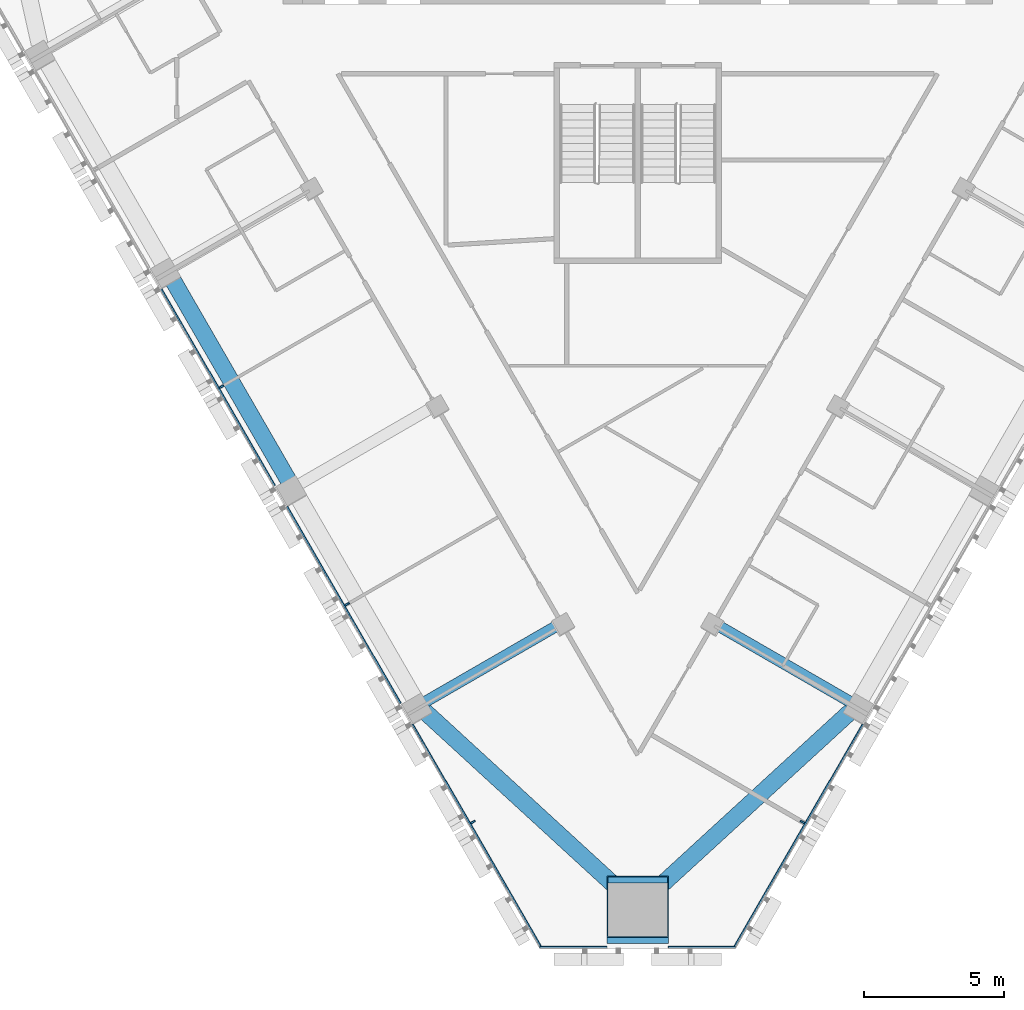
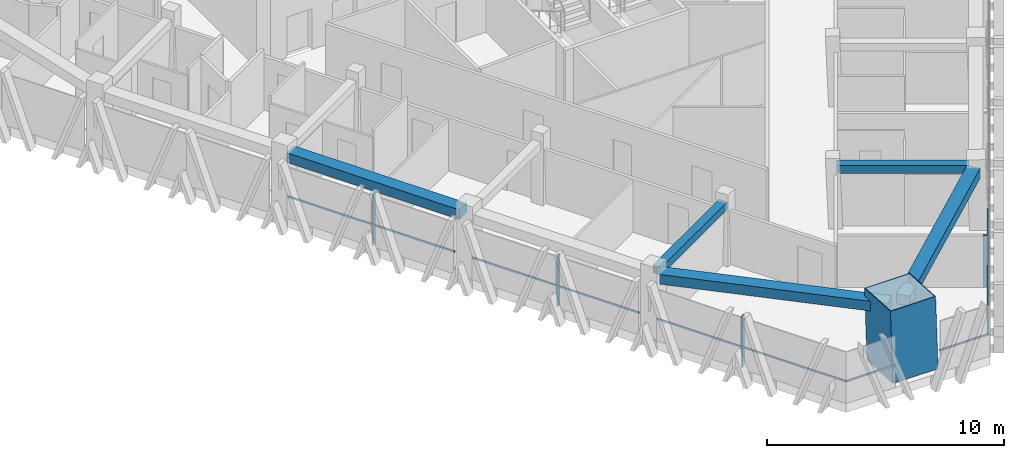
# One storey, part 2 of 16: 11 members, 5 beams, 3 elements without a shape of their own.
"""IFC4 building model written with IfcOpenShell, lengths in metres."""

from ifc_helpers import new_model, si_unit, direction, frame, origin, origin_2d, place, context, subcontext, project, spatial, rectangle, hollow_rectangle, extrude, material, layer, layer_set, material_profile, profile_set, type_object, element, aggregate, save


model = new_model("IFC4")

# Units and contexts
model_context = context("Model", 3, precision=1e-05, world=origin(), true_north=direction((0.0, 1.0)))
body_context = subcontext(model_context, "Body", "Model", "MODEL_VIEW")
ifc_project = project(units=[si_unit("LENGTHUNIT", "METRE"), si_unit("AREAUNIT", "SQUARE_METRE"), si_unit("VOLUMEUNIT", "CUBIC_METRE"), si_unit("PLANEANGLEUNIT", "RADIAN"), si_unit("MASSUNIT", "GRAM", prefix="KILO")], contexts=[model_context])

# Site, building, storey
site_placement = place(None, origin())
site = spatial("IfcSite", under=ifc_project, at=site_placement, CompositionType="ELEMENT")
building_placement = place(site_placement, origin())
building = spatial("IfcBuilding", under=site, at=building_placement, Name="Altiplano Prism Tower", CompositionType="ELEMENT")
storey_placement = place(building_placement, frame((0.0, 0.0, 167.39990234375)))
storey = spatial("IfcBuildingStorey", under=building, at=storey_placement, Name="L43", CompositionType="ELEMENT", Elevation=167.39990234375)

# Curtain wall, members
ifc_material_1 = material(Name="Aluminium and glass", Category="aluminium")
ifc_layer = layer(ifc_material_1, 0.280029296875)
ifc_layer_set = layer_set([ifc_layer], Name="Aluminium and glass")
curtain_wall_type = type_object("IfcCurtainWallType", Name="CW1 typical co-living unitised curtain wall", PredefinedType="NOTDEFINED", material=ifc_layer_set)
curtain_wall_1_placement = place(storey_placement, origin())
curtain_wall_1 = element("IfcCurtainWall", 1, at=curtain_wall_1_placement, inside=storey, type_object=curtain_wall_type, Name="CW1 curtain wall south-west face L43", PredefinedType="NOTDEFINED")
ifc_material_2 = material(Name="Aluminium", Category="aluminium")
ifc_material_profile_1 = material_profile(ifc_material_2, rectangle(XDim=0.179931640625, YDim=0.06494140625, at=origin_2d()), Name="CW1 mullion 65 x 180")
ifc_profile_set_1 = profile_set([ifc_material_profile_1], Name="Aluminium")
member_type_1 = type_object("IfcMemberType", Name="CW1 mullion 65 x 180", PredefinedType="MULLION", material=ifc_profile_set_1)
member_1_placement = place(storey_placement, frame((70.09765625, 78.998291015625, 0.0), z_axis=(0.0, 0.0, 1.0), x_axis=(0.866025409221, 0.499999990583, 0.0)))
member_1 = element("IfcMember", 2, at=member_1_placement, type_object=member_type_1, Name="CW1 mullion", PredefinedType="MULLION", context=body_context, shape_type="SweptSolid", body=[
    extrude(rectangle(XDim=0.179931640625, YDim=0.06494140625, at=origin_2d()), origin(), (0.0, 0.0, 1.0), 2.650146484375),
])
member_2_placement = place(storey_placement, frame((74.59765625, 71.2041015625, 0.0), z_axis=(0.0, 0.0, 1.0), x_axis=(0.866025409221, 0.499999990583, 0.0)))
member_2 = element("IfcMember", 3, at=member_2_placement, type_object=member_type_1, Name="CW1 mullion", PredefinedType="MULLION", context=body_context, shape_type="SweptSolid", body=[
    extrude(rectangle(XDim=0.179931640625, YDim=0.06494140625, at=origin_2d()), origin(), (0.0, 0.0, 1.0), 2.650146484375),
])
member_3_placement = place(storey_placement, frame((79.09765625, 63.409912109375, 0.0), z_axis=(0.0, 0.0, 1.0), x_axis=(0.866025409221, 0.499999990583, 0.0)))
member_3 = element("IfcMember", 4, at=member_3_placement, type_object=member_type_1, Name="CW1 mullion", PredefinedType="MULLION", context=body_context, shape_type="SweptSolid", body=[
    extrude(rectangle(XDim=0.179931640625, YDim=0.06494140625, at=origin_2d()), origin(), (0.0, 0.0, 1.0), 2.650146484375),
])

# Curtain wall, member
curtain_wall_2_placement = place(storey_placement, origin())
curtain_wall_2 = element("IfcCurtainWall", 5, at=curtain_wall_2_placement, inside=storey, type_object=curtain_wall_type, Name="CW1 curtain wall south-east face L43", PredefinedType="NOTDEFINED")
member_4_placement = place(storey_placement, frame((90.90234375, 63.409912109375, 0.0), z_axis=(0.0, 0.0, 1.0), x_axis=(-0.866025409221, 0.499999990583, 0.0)))
member_4 = element("IfcMember", 6, at=member_4_placement, type_object=member_type_1, Name="CW1 mullion", PredefinedType="MULLION", context=body_context, shape_type="SweptSolid", body=[
    extrude(rectangle(XDim=0.179931640625, YDim=0.06494140625, at=origin_2d()), origin(), (0.0, 0.0, 1.0), 2.650146484375),
])

# Member
ifc_material_profile_2 = material_profile(ifc_material_2, rectangle(XDim=0.06005859375, YDim=0.080078125, at=origin_2d()), Name="CW1 transom 80 x 60")
ifc_profile_set_2 = profile_set([ifc_material_profile_2], Name="Aluminium")
member_type_2 = type_object("IfcMemberType", Name="CW1 transom 80 x 60", PredefinedType="USERDEFINED", material=ifc_profile_set_2)
member_5_placement = place(storey_placement, frame((67.944091796875, 82.488525390625, 1.10009765625), z_axis=(0.499990533176, -0.866030869389, 0.0), x_axis=(0.866030869389, 0.499990533176, 0.0)))
member_5 = element("IfcMember", 7, at=member_5_placement, type_object=member_type_2, Name="CW1 transom", ObjectType="TRANSOM", PredefinedType="USERDEFINED", context=body_context, shape_type="SweptSolid", body=[
    extrude(rectangle(XDim=0.06005859375, YDim=0.080078125, at=origin_2d()), origin(), (0.0, 0.0, 1.0), 8.119873046875),
])

member_6_placement = place(storey_placement, frame((72.444091796875, 74.6943359375, 1.10009765625), z_axis=(0.499990533176, -0.866030869389, 0.0), x_axis=(0.866030869389, 0.499990533176, 0.0)))
member_6 = element("IfcMember", 8, at=member_6_placement, type_object=member_type_2, Name="CW1 transom", ObjectType="TRANSOM", PredefinedType="USERDEFINED", context=body_context, shape_type="SweptSolid", body=[
    extrude(rectangle(XDim=0.06005859375, YDim=0.080078125, at=origin_2d()), origin(), (0.0, 0.0, 1.0), 8.119873046875),
])

member_7_placement = place(storey_placement, frame((76.944091796875, 66.89990234375, 1.10009765625), z_axis=(0.499991722705, -0.86603018263, 0.0), x_axis=(0.86603018263, 0.499991722705, 0.0)))
member_7 = element("IfcMember", 9, at=member_7_placement, type_object=member_type_2, Name="CW1 transom", ObjectType="TRANSOM", PredefinedType="USERDEFINED", context=body_context, shape_type="SweptSolid", body=[
    extrude(rectangle(XDim=0.06005859375, YDim=0.080078125, at=origin_2d()), origin(), (0.0, 0.0, 1.0), 9.235107421875),
])

aggregate(curtain_wall_1, [member_1, member_5, member_2, member_6, member_3, member_7])

# Curtain wall, members
curtain_wall_3_placement = place(storey_placement, origin())
curtain_wall_3 = element("IfcCurtainWall", 10, at=curtain_wall_3_placement, inside=storey, type_object=curtain_wall_type, Name="CW1 curtain wall south chamfer L43", PredefinedType="NOTDEFINED")
member_8_placement = place(storey_placement, frame((81.5009765625, 58.937255859375, 1.10009765625), z_axis=(1.0, 0.0, 0.0), x_axis=(0.0, 1.0, 0.0)))
member_8 = element("IfcMember", 11, at=member_8_placement, type_object=member_type_2, Name="CW1 transom", ObjectType="TRANSOM", PredefinedType="USERDEFINED", context=body_context, shape_type="SweptSolid", body=[
    extrude(rectangle(XDim=0.06005859375, YDim=0.080078125, at=origin_2d()), origin(), (0.0, 0.0, 1.0), 2.39892578125),
])
member_9_placement = place(storey_placement, frame((86.10009765625, 58.937255859375, 1.10009765625), z_axis=(1.0, 0.0, 0.0), x_axis=(0.0, 1.0, 0.0)))
member_9 = element("IfcMember", 12, at=member_9_placement, type_object=member_type_2, Name="CW1 transom", ObjectType="TRANSOM", PredefinedType="USERDEFINED", context=body_context, shape_type="SweptSolid", body=[
    extrude(rectangle(XDim=0.06005859375, YDim=0.080078125, at=origin_2d()), origin(), (0.0, 0.0, 1.0), 2.39892578125),
])
aggregate(curtain_wall_3, [member_8, member_9])

# Member
member_10_placement = place(storey_placement, frame((88.4384765625, 58.902099609375, 1.10009765625), z_axis=(0.499991722705, 0.86603018263, 0.0), x_axis=(-0.86603018263, 0.499991722705, 0.0)))
member_10 = element("IfcMember", 13, at=member_10_placement, type_object=member_type_2, Name="CW1 transom", ObjectType="TRANSOM", PredefinedType="USERDEFINED", context=body_context, shape_type="SweptSolid", body=[
    extrude(rectangle(XDim=0.06005859375, YDim=0.080078125, at=origin_2d()), origin(), (0.0, 0.0, 1.0), 9.235107421875),
])

aggregate(curtain_wall_2, [member_4, member_10])

# Beams
ifc_material_3 = material(Name="Concrete C60/75", Category="concrete")
ifc_material_profile_3 = material_profile(ifc_material_3, rectangle(XDim=0.60009765625, YDim=0.5, at=origin_2d()), Name="Edge beam 600x500")
ifc_profile_set_3 = profile_set([ifc_material_profile_3], Name="Concrete C60/75")
beam_type_1 = type_object("IfcBeamType", Name="Edge beam 600x500", PredefinedType="SPANDREL", material=ifc_profile_set_3)
beam_placement = place(storey_placement, frame((68.292724609375, 82.92138671875, 2.900146484375), z_axis=(0.500006240468, -0.866021800818, 0.0), x_axis=(0.866021800818, 0.500006240468, 0.0)))
element("IfcBeam", 14, at=beam_placement, inside=storey, type_object=beam_type_1, Name="Edge beam P12-P13 L44", PredefinedType="SPANDREL", context=body_context, shape_type="SweptSolid", body=[
    extrude(rectangle(XDim=0.60009765625, YDim=0.5, at=origin_2d()), origin(), (0.0, 0.0, 1.0), 8.43994140625),
])
for number, where, z_axis, x_axis, name in (
    (15, (77.373291015625, 67.373046875, 2.900146484375), (0.736956525103, -0.67594014536, 0.0), (0.67594014536, 0.736956525103, 0.0), "Edge beam P14-M1 L44"),
    (16, (85.33154296875, 60.681884765625, 2.900146484375), (0.736956525103, 0.67594014536, 0.0), (-0.67594014536, 0.736956525103, 0.0), "Edge beam M1-P21 L44"),
):
    element("IfcBeam", number, at=place(storey_placement, frame(where, z_axis=z_axis, x_axis=x_axis)), inside=storey, type_object=beam_type_1, Name=name, PredefinedType="SPANDREL", context=body_context, shape_type="SweptSolid", body=[
        extrude(rectangle(XDim=0.60009765625, YDim=0.5, at=origin_2d()), origin(), (0.0, 0.0, 1.0), 9.89892578125),
    ])

# Member
ifc_material_4 = material(Name="Steel S460", Category="steel")
ifc_material_profile_4 = material_profile(ifc_material_4, hollow_rectangle(XDim=2.199951171875, YDim=2.199951171875, WallThickness=0.0400390625, at=origin_2d()), Name="Mega column tube 2200")
ifc_profile_set_4 = profile_set([ifc_material_profile_4], Name="Steel S460")
member_type_3 = type_object("IfcMemberType", Name="Mega column tube 2200", PredefinedType="POST", material=ifc_profile_set_4)
member_11_placement = place(storey_placement, frame((85.0, 60.167236328125, 0.0), z_axis=(0.0, 0.058356907999, 0.998295783467), x_axis=(-1.0, 0.0, 0.0)))
element("IfcMember", 17, at=member_11_placement, inside=storey, type_object=member_type_3, Name="Mega column tube M1 L43", PredefinedType="POST", context=body_context, shape_type="SweptSolid", body=[
    extrude(hollow_rectangle(XDim=2.199951171875, YDim=2.199951171875, WallThickness=0.0400390625, at=origin_2d()), origin(), (0.0, 0.0, 1.0), 3.606201171875),
])

# Beams
ifc_material_profile_5 = material_profile(ifc_material_3, rectangle(XDim=0.39990234375, YDim=0.39990234375, at=origin_2d()), Name="Tie beam 400x400")
ifc_profile_set_5 = profile_set([ifc_material_profile_5], Name="Concrete C60/75")
beam_type_2 = type_object("IfcBeamType", Name="Tie beam 400x400", PredefinedType="BEAM", material=ifc_profile_set_5)
for number, where, z_axis, x_axis, name in (
    (18, (82.236328125, 70.510498046875, 2.9501953125), (-0.866030670444, -0.499990877767, 0.0), (0.499990877767, -0.866030670444, 0.0), "Tie beam I14 L44"),
    (19, (87.763671875, 70.510498046875, 2.9501953125), (0.866030670444, -0.499990877767, 0.0), (0.499990877767, 0.866030670444, 0.0), "Tie beam I21 L44"),
):
    element("IfcBeam", number, at=place(storey_placement, frame(where, z_axis=z_axis, x_axis=x_axis)), inside=storey, type_object=beam_type_2, Name=name, PredefinedType="BEAM", context=body_context, shape_type="SweptSolid", body=[
        extrude(rectangle(XDim=0.39990234375, YDim=0.39990234375, at=origin_2d()), origin(), (0.0, 0.0, 1.0), 5.58984375),
    ])

save(model, "model.ifc")
